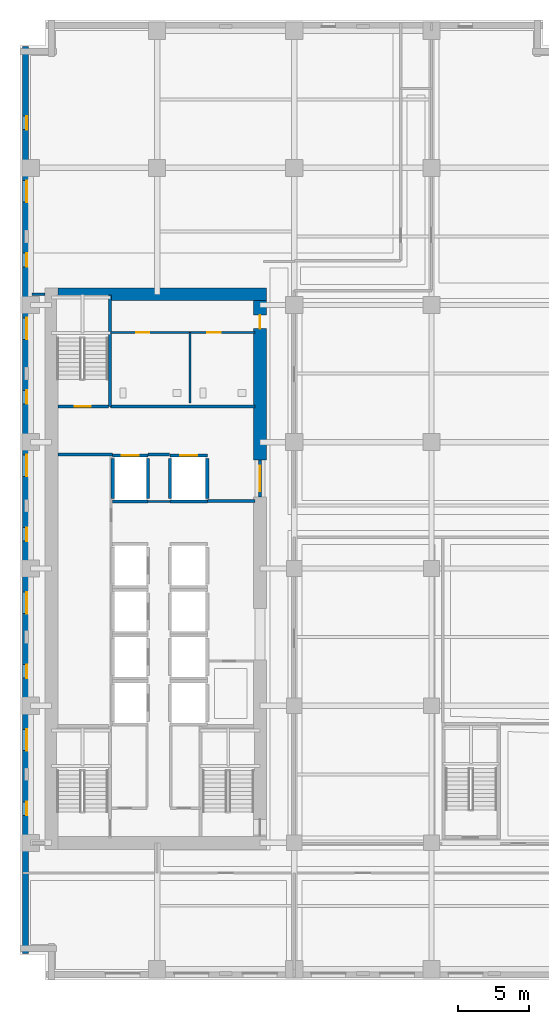
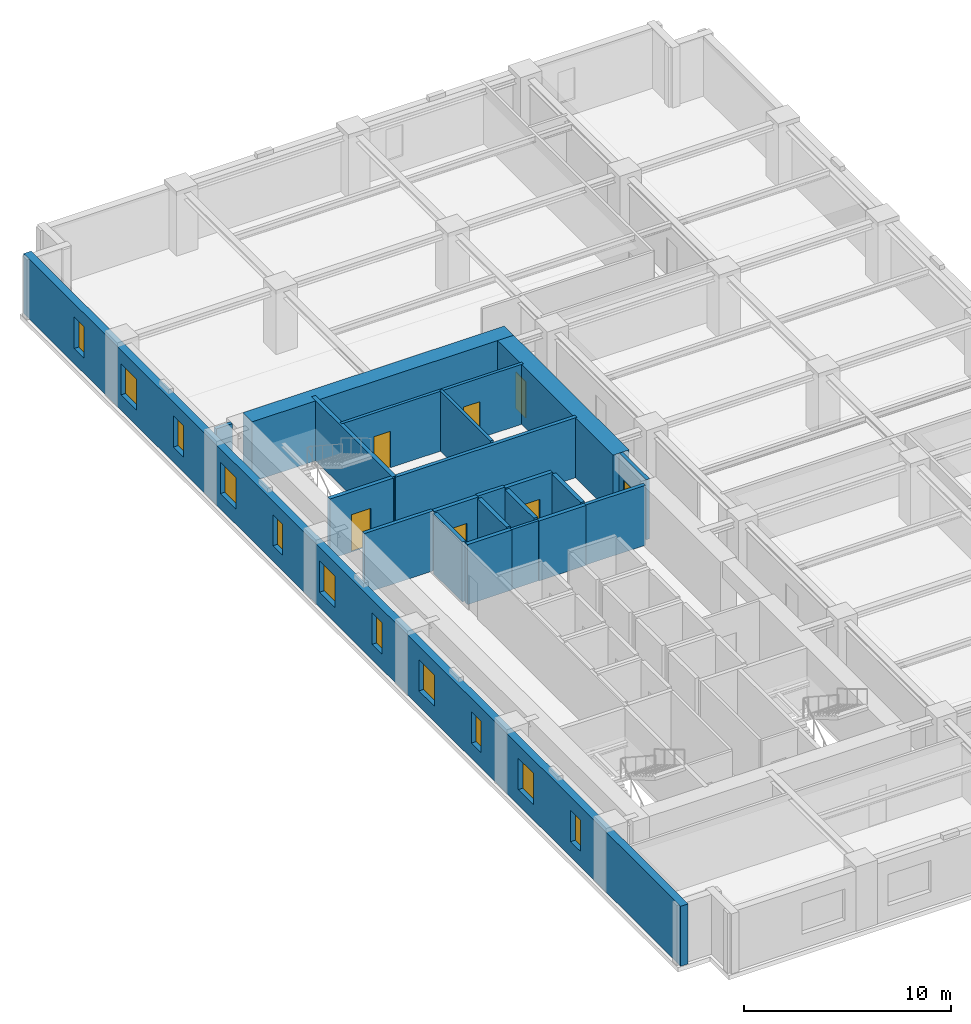
# One storey, part 6 of 13: 22 walls, 11 windows, 7 doors, 18 openings.
"""IFC4 building model written with IfcOpenShell, lengths in metres."""

from ifc_helpers import new_model, si_unit, direction, frame, frame_2d, origin, place, context, subcontext, project, spatial, rectangle, extrude, material, layer, layer_set, type_object, element, fill, save


model = new_model("IFC4")

# Units and contexts
model_context = context("Model", 3, precision=1e-05, world=origin(), true_north=direction((0.0, 1.0)))
body_context = subcontext(model_context, "Body", "Model", "MODEL_VIEW")
ifc_project = project(units=[si_unit("LENGTHUNIT", "METRE"), si_unit("AREAUNIT", "SQUARE_METRE"), si_unit("VOLUMEUNIT", "CUBIC_METRE"), si_unit("PLANEANGLEUNIT", "RADIAN"), si_unit("MASSUNIT", "GRAM", prefix="KILO")], contexts=[model_context])

# Site, building, storey
site_placement = place(None, origin())
site = spatial("IfcSite", under=ifc_project, at=site_placement, CompositionType="ELEMENT")
building_placement = place(site_placement, origin())
building = spatial("IfcBuilding", under=site, at=building_placement, Name="Norrvale University Quadrangle", CompositionType="ELEMENT")
storey_placement = place(building_placement, frame((0.0, 0.0, 47.0)))
storey = spatial("IfcBuildingStorey", under=building, at=storey_placement, Name="L11", CompositionType="ELEMENT", Elevation=47.0)

# Wall, openings, windows
ifc_material_1 = material(Name="Buff Norman Clay Brick Masonry", Category="masonry")
ifc_layer_1 = layer(ifc_material_1, 0.419921875, Name="Buff Norman Clay Brick Masonry")
ifc_layer_set_1 = layer_set([ifc_layer_1], Name="Buff Norman Clay Brick Masonry")
wall_type_1 = type_object("IfcWallType", Name="Wall Buff Brick 420", PredefinedType="SOLIDWALL", material=ifc_layer_set_1)
wall_1_placement = place(storey_placement, frame((0.389892578125, 65.360107421875, 0.0), z_axis=(0.0, 0.0, 1.0), x_axis=(0.0, -1.0, 0.0)))
wall_1 = element("IfcWall", 1, at=wall_1_placement, inside=storey, type_object=wall_type_1, Name="Exterior Brick Facade Wall L11-14.1", PredefinedType="SOLIDWALL", context=body_context, shape_type="SweptSolid", body=[
    extrude(rectangle(XDim=63.52001953125, YDim=0.419921875, at=frame_2d((31.760009765625, 0.0))), origin(), (0.0, 0.0, 1.0), 3.5400390625),
])
opening_1_placement = place(wall_1_placement, frame((4.885009765625, 0.0, 0.89990234375)))
opening_1 = element("IfcOpeningElement", 2, at=opening_1_placement, cuts=wall_1, Name="Opening W04", PredefinedType="OPENING", context=body_context, shape_type="SweptSolid", body=[
    extrude(rectangle(XDim=0.949951171875, YDim=1.85009765625, at=frame_2d((0.47509765625, 0.925048828125))), frame((0.0, 0.221923828125, 0.0), z_axis=(0.0, -1.0, 0.0), x_axis=(1.0, 0.0, 0.0)), (0.0, 0.0, 1.0), 0.44384765625),
])
opening_2_placement = place(wall_1_placement, frame((9.409912109375, 0.0, 0.89990234375)))
opening_2 = element("IfcOpeningElement", 3, at=opening_2_placement, cuts=wall_1, Name="Opening W03", PredefinedType="OPENING", context=body_context, shape_type="SweptSolid", body=[
    extrude(rectangle(XDim=1.5, YDim=1.85009765625, at=frame_2d((0.75, 0.925048828125))), frame((0.0, 0.221923828125, 0.0), z_axis=(0.0, -1.0, 0.0), x_axis=(1.0, 0.0, 0.0)), (0.0, 0.0, 1.0), 0.44384765625),
])
opening_3_placement = place(wall_1_placement, frame((14.485107421875, 0.0, 0.89990234375)))
opening_3 = element("IfcOpeningElement", 4, at=opening_3_placement, cuts=wall_1, Name="Opening W04", PredefinedType="OPENING", context=body_context, shape_type="SweptSolid", body=[
    extrude(rectangle(XDim=0.949951171875, YDim=1.85009765625, at=frame_2d((0.47509765625, 0.925048828125))), frame((0.0, 0.221923828125, 0.0), z_axis=(0.0, -1.0, 0.0), x_axis=(1.0, 0.0, 0.0)), (0.0, 0.0, 1.0), 0.44384765625),
])
opening_4_placement = place(wall_1_placement, frame((19.010009765625, 0.0, 0.89990234375)))
opening_4 = element("IfcOpeningElement", 5, at=opening_4_placement, cuts=wall_1, Name="Opening W03", PredefinedType="OPENING", context=body_context, shape_type="SweptSolid", body=[
    extrude(rectangle(XDim=1.5, YDim=1.85009765625, at=frame_2d((0.75, 0.925048828125))), frame((0.0, 0.221923828125, 0.0), z_axis=(0.0, -1.0, 0.0), x_axis=(1.0, 0.0, 0.0)), (0.0, 0.0, 1.0), 0.44384765625),
])
opening_5_placement = place(wall_1_placement, frame((24.0849609375, 0.0, 0.89990234375)))
opening_5 = element("IfcOpeningElement", 6, at=opening_5_placement, cuts=wall_1, Name="Opening W04", PredefinedType="OPENING", context=body_context, shape_type="SweptSolid", body=[
    extrude(rectangle(XDim=0.949951171875, YDim=1.85009765625, at=frame_2d((0.47509765625, 0.925048828125))), frame((0.0, 0.221923828125, 0.0), z_axis=(0.0, -1.0, 0.0), x_axis=(1.0, 0.0, 0.0)), (0.0, 0.0, 1.0), 0.44384765625),
])
opening_6_placement = place(wall_1_placement, frame((28.610107421875, 0.0, 0.89990234375)))
opening_6 = element("IfcOpeningElement", 7, at=opening_6_placement, cuts=wall_1, Name="Opening W03", PredefinedType="OPENING", context=body_context, shape_type="SweptSolid", body=[
    extrude(rectangle(XDim=1.5, YDim=1.85009765625, at=frame_2d((0.75, 0.925048828125))), frame((0.0, 0.221923828125, 0.0), z_axis=(0.0, -1.0, 0.0), x_axis=(1.0, 0.0, 0.0)), (0.0, 0.0, 1.0), 0.44384765625),
])
opening_7_placement = place(wall_1_placement, frame((33.68505859375, 0.0, 0.89990234375)))
opening_7 = element("IfcOpeningElement", 8, at=opening_7_placement, cuts=wall_1, Name="Opening W04", PredefinedType="OPENING", context=body_context, shape_type="SweptSolid", body=[
    extrude(rectangle(XDim=0.949951171875, YDim=1.85009765625, at=frame_2d((0.47509765625, 0.925048828125))), frame((0.0, 0.221923828125, 0.0), z_axis=(0.0, -1.0, 0.0), x_axis=(1.0, 0.0, 0.0)), (0.0, 0.0, 1.0), 0.44384765625),
])
opening_8_placement = place(wall_1_placement, frame((38.2099609375, 0.0, 0.89990234375)))
opening_8 = element("IfcOpeningElement", 9, at=opening_8_placement, cuts=wall_1, Name="Opening W03", PredefinedType="OPENING", context=body_context, shape_type="SweptSolid", body=[
    extrude(rectangle(XDim=1.5, YDim=1.85009765625, at=frame_2d((0.75, 0.925048828125))), frame((0.0, 0.221923828125, 0.0), z_axis=(0.0, -1.0, 0.0), x_axis=(1.0, 0.0, 0.0)), (0.0, 0.0, 1.0), 0.44384765625),
])
opening_9_placement = place(wall_1_placement, frame((43.284912109375, 0.0, 0.89990234375)))
opening_9 = element("IfcOpeningElement", 10, at=opening_9_placement, cuts=wall_1, Name="Opening W04", PredefinedType="OPENING", context=body_context, shape_type="SweptSolid", body=[
    extrude(rectangle(XDim=0.949951171875, YDim=1.85009765625, at=frame_2d((0.47509765625, 0.925048828125))), frame((0.0, 0.221923828125, 0.0), z_axis=(0.0, -1.0, 0.0), x_axis=(1.0, 0.0, 0.0)), (0.0, 0.0, 1.0), 0.44384765625),
])
opening_10_placement = place(wall_1_placement, frame((47.81005859375, 0.0, 0.89990234375)))
opening_10 = element("IfcOpeningElement", 11, at=opening_10_placement, cuts=wall_1, Name="Opening W03", PredefinedType="OPENING", context=body_context, shape_type="SweptSolid", body=[
    extrude(rectangle(XDim=1.5, YDim=1.85009765625, at=frame_2d((0.75, 0.925048828125))), frame((0.0, 0.221923828125, 0.0), z_axis=(0.0, -1.0, 0.0), x_axis=(1.0, 0.0, 0.0)), (0.0, 0.0, 1.0), 0.44384765625),
])
opening_11_placement = place(wall_1_placement, frame((52.885009765625, 0.0, 0.89990234375)))
opening_11 = element("IfcOpeningElement", 12, at=opening_11_placement, cuts=wall_1, Name="Opening W04", PredefinedType="OPENING", context=body_context, shape_type="SweptSolid", body=[
    extrude(rectangle(XDim=0.949951171875, YDim=1.85009765625, at=frame_2d((0.47509765625, 0.925048828125))), frame((0.0, 0.221923828125, 0.0), z_axis=(0.0, -1.0, 0.0), x_axis=(1.0, 0.0, 0.0)), (0.0, 0.0, 1.0), 0.44384765625),
])
ifc_material_2 = material(Name="Triple Low-E Argon Glazing", Category="glass")
window_type_1 = type_object("IfcWindowType", Name="Window Narrow Pier 950x2300", PartitioningType="SINGLE_PANEL", PredefinedType="WINDOW", material=ifc_material_2)
window_1_placement = place(opening_1_placement, origin())
window_1 = element("IfcWindow", 13, at=window_1_placement, inside=storey, type_object=window_type_1, Name="Window Narrow Pier 950x2300 WIN-L11-E14-1-01", OverallHeight=1.85009765625, OverallWidth=0.949951171875, PartitioningType="SINGLE_PANEL", PredefinedType="WINDOW", context=body_context, shape_type="SweptSolid", body=[
    extrude(rectangle(XDim=0.949951171875, YDim=1.85009765625, at=frame_2d((0.47509765625, 0.925048828125))), frame((0.0, 0.110107421875, 0.0), z_axis=(0.0, -1.0, 0.0), x_axis=(1.0, 0.0, 0.0)), (0.0, 0.0, 1.0), 0.06005859375),
])
fill(opening_1, window_1)
window_2_placement = place(opening_3_placement, origin())
window_2 = element("IfcWindow", 14, at=window_2_placement, inside=storey, type_object=window_type_1, Name="Window Narrow Pier 950x2300 WIN-L11-E14-1-03", OverallHeight=1.85009765625, OverallWidth=0.949951171875, PartitioningType="SINGLE_PANEL", PredefinedType="WINDOW", context=body_context, shape_type="SweptSolid", body=[
    extrude(rectangle(XDim=0.949951171875, YDim=1.85009765625, at=frame_2d((0.47509765625, 0.925048828125))), frame((0.0, 0.110107421875, 0.0), z_axis=(0.0, -1.0, 0.0), x_axis=(1.0, 0.0, 0.0)), (0.0, 0.0, 1.0), 0.06005859375),
])
fill(opening_3, window_2)
window_3_placement = place(opening_5_placement, origin())
window_3 = element("IfcWindow", 15, at=window_3_placement, inside=storey, type_object=window_type_1, Name="Window Narrow Pier 950x2300 WIN-L11-E14-1-05", OverallHeight=1.85009765625, OverallWidth=0.949951171875, PartitioningType="SINGLE_PANEL", PredefinedType="WINDOW", context=body_context, shape_type="SweptSolid", body=[
    extrude(rectangle(XDim=0.949951171875, YDim=1.85009765625, at=frame_2d((0.47509765625, 0.925048828125))), frame((0.0, 0.110107421875, 0.0), z_axis=(0.0, -1.0, 0.0), x_axis=(1.0, 0.0, 0.0)), (0.0, 0.0, 1.0), 0.06005859375),
])
fill(opening_5, window_3)
window_4_placement = place(opening_7_placement, origin())
window_4 = element("IfcWindow", 16, at=window_4_placement, inside=storey, type_object=window_type_1, Name="Window Narrow Pier 950x2300 WIN-L11-E14-1-07", OverallHeight=1.85009765625, OverallWidth=0.949951171875, PartitioningType="SINGLE_PANEL", PredefinedType="WINDOW", context=body_context, shape_type="SweptSolid", body=[
    extrude(rectangle(XDim=0.949951171875, YDim=1.85009765625, at=frame_2d((0.47509765625, 0.925048828125))), frame((0.0, 0.110107421875, 0.0), z_axis=(0.0, -1.0, 0.0), x_axis=(1.0, 0.0, 0.0)), (0.0, 0.0, 1.0), 0.06005859375),
])
fill(opening_7, window_4)
window_5_placement = place(opening_9_placement, origin())
window_5 = element("IfcWindow", 17, at=window_5_placement, inside=storey, type_object=window_type_1, Name="Window Narrow Pier 950x2300 WIN-L11-E14-1-09", OverallHeight=1.85009765625, OverallWidth=0.949951171875, PartitioningType="SINGLE_PANEL", PredefinedType="WINDOW", context=body_context, shape_type="SweptSolid", body=[
    extrude(rectangle(XDim=0.949951171875, YDim=1.85009765625, at=frame_2d((0.47509765625, 0.925048828125))), frame((0.0, 0.110107421875, 0.0), z_axis=(0.0, -1.0, 0.0), x_axis=(1.0, 0.0, 0.0)), (0.0, 0.0, 1.0), 0.06005859375),
])
fill(opening_9, window_5)
window_6_placement = place(opening_11_placement, origin())
window_6 = element("IfcWindow", 18, at=window_6_placement, inside=storey, type_object=window_type_1, Name="Window Narrow Pier 950x2300 WIN-L11-E14-1-11", OverallHeight=1.85009765625, OverallWidth=0.949951171875, PartitioningType="SINGLE_PANEL", PredefinedType="WINDOW", context=body_context, shape_type="SweptSolid", body=[
    extrude(rectangle(XDim=0.949951171875, YDim=1.85009765625, at=frame_2d((0.47509765625, 0.925048828125))), frame((0.0, 0.110107421875, 0.0), z_axis=(0.0, -1.0, 0.0), x_axis=(1.0, 0.0, 0.0)), (0.0, 0.0, 1.0), 0.06005859375),
])
fill(opening_11, window_6)
window_type_2 = type_object("IfcWindowType", Name="Window Studio 1500x2300", PartitioningType="DOUBLE_PANEL_VERTICAL", PredefinedType="WINDOW", material=ifc_material_2)
window_7_placement = place(opening_2_placement, origin())
window_7 = element("IfcWindow", 19, at=window_7_placement, inside=storey, type_object=window_type_2, Name="Window Studio 1500x2300 WIN-L11-E14-1-02", OverallHeight=1.85009765625, OverallWidth=1.5, PartitioningType="DOUBLE_PANEL_VERTICAL", PredefinedType="WINDOW", context=body_context, shape_type="SweptSolid", body=[
    extrude(rectangle(XDim=1.5, YDim=1.85009765625, at=frame_2d((0.75, 0.925048828125))), frame((0.0, 0.110107421875, 0.0), z_axis=(0.0, -1.0, 0.0), x_axis=(1.0, 0.0, 0.0)), (0.0, 0.0, 1.0), 0.06005859375),
])
fill(opening_2, window_7)
window_8_placement = place(opening_4_placement, origin())
window_8 = element("IfcWindow", 20, at=window_8_placement, inside=storey, type_object=window_type_2, Name="Window Studio 1500x2300 WIN-L11-E14-1-04", OverallHeight=1.85009765625, OverallWidth=1.5, PartitioningType="DOUBLE_PANEL_VERTICAL", PredefinedType="WINDOW", context=body_context, shape_type="SweptSolid", body=[
    extrude(rectangle(XDim=1.5, YDim=1.85009765625, at=frame_2d((0.75, 0.925048828125))), frame((0.0, 0.110107421875, 0.0), z_axis=(0.0, -1.0, 0.0), x_axis=(1.0, 0.0, 0.0)), (0.0, 0.0, 1.0), 0.06005859375),
])
fill(opening_4, window_8)
window_9_placement = place(opening_6_placement, origin())
window_9 = element("IfcWindow", 21, at=window_9_placement, inside=storey, type_object=window_type_2, Name="Window Studio 1500x2300 WIN-L11-E14-1-06", OverallHeight=1.85009765625, OverallWidth=1.5, PartitioningType="DOUBLE_PANEL_VERTICAL", PredefinedType="WINDOW", context=body_context, shape_type="SweptSolid", body=[
    extrude(rectangle(XDim=1.5, YDim=1.85009765625, at=frame_2d((0.75, 0.925048828125))), frame((0.0, 0.110107421875, 0.0), z_axis=(0.0, -1.0, 0.0), x_axis=(1.0, 0.0, 0.0)), (0.0, 0.0, 1.0), 0.06005859375),
])
fill(opening_6, window_9)
window_10_placement = place(opening_8_placement, origin())
window_10 = element("IfcWindow", 22, at=window_10_placement, inside=storey, type_object=window_type_2, Name="Window Studio 1500x2300 WIN-L11-E14-1-08", OverallHeight=1.85009765625, OverallWidth=1.5, PartitioningType="DOUBLE_PANEL_VERTICAL", PredefinedType="WINDOW", context=body_context, shape_type="SweptSolid", body=[
    extrude(rectangle(XDim=1.5, YDim=1.85009765625, at=frame_2d((0.75, 0.925048828125))), frame((0.0, 0.110107421875, 0.0), z_axis=(0.0, -1.0, 0.0), x_axis=(1.0, 0.0, 0.0)), (0.0, 0.0, 1.0), 0.06005859375),
])
fill(opening_8, window_10)
window_11_placement = place(opening_10_placement, origin())
window_11 = element("IfcWindow", 23, at=window_11_placement, inside=storey, type_object=window_type_2, Name="Window Studio 1500x2300 WIN-L11-E14-1-10", OverallHeight=1.85009765625, OverallWidth=1.5, PartitioningType="DOUBLE_PANEL_VERTICAL", PredefinedType="WINDOW", context=body_context, shape_type="SweptSolid", body=[
    extrude(rectangle(XDim=1.5, YDim=1.85009765625, at=frame_2d((0.75, 0.925048828125))), frame((0.0, 0.110107421875, 0.0), z_axis=(0.0, -1.0, 0.0), x_axis=(1.0, 0.0, 0.0)), (0.0, 0.0, 1.0), 0.06005859375),
])
fill(opening_10, window_11)

# Wall
ifc_material_3 = material(Name="Concrete C80/95", Category="concrete")
ifc_layer_2 = layer(ifc_material_3, 0.89990234375, Name="Concrete C80/95")
ifc_layer_set_2 = layer_set([ifc_layer_2], Name="Concrete C80/95")
wall_type_2 = type_object("IfcWallType", Name="Wall Core 900", PredefinedType="SHEAR", material=ifc_layer_set_2)
wall_2_placement = place(storey_placement, frame((2.64990234375, 48.0, 0.0), z_axis=(0.0, 0.0, 1.0), x_axis=(1.0, 0.0, 0.0)))
element("IfcWall", 24, at=wall_2_placement, inside=storey, type_object=wall_type_2, Name="Tower Core Shear Wall L11-N", PredefinedType="SHEAR", context=body_context, shape_type="SweptSolid", body=[
    extrude(rectangle(XDim=14.60009765625, YDim=0.89990234375, at=frame_2d((7.300048828125, 0.0))), origin(), (0.0, 0.0, 1.0), 3.5400390625),
])

# Wall, opening, door
wall_3_placement = place(storey_placement, frame((16.800048828125, 36.39990234375, 0.0), z_axis=(0.0, 0.0, 1.0), x_axis=(0.0, 1.0, 0.0)))
wall_3 = element("IfcWall", 25, at=wall_3_placement, inside=storey, type_object=wall_type_2, Name="Tower Core Shear Wall L11-E3", PredefinedType="SHEAR", context=body_context, shape_type="SweptSolid", body=[
    extrude(rectangle(XDim=11.150146484375, YDim=0.89990234375, at=frame_2d((5.5751953125, 0.0))), origin(), (0.0, 0.0, 1.0), 3.5400390625),
])
opening_12_placement = place(wall_3_placement, frame((9.199951171875, 0.0, 0.0)))
opening_12 = element("IfcOpeningElement", 26, at=opening_12_placement, cuts=wall_3, Name="Opening D07", PredefinedType="OPENING", context=body_context, shape_type="SweptSolid", body=[
    extrude(rectangle(XDim=0.949951171875, YDim=2.14990234375, at=frame_2d((0.47509765625, 1.074951171875))), frame((0.0, 0.4619140625, 0.0), z_axis=(0.0, -1.0, 0.0), x_axis=(1.0, 0.0, 0.0)), (0.0, 0.0, 1.0), 0.923828125),
])
ifc_material_4 = material(Name="Solid-Core Maple Door", Category="wood")
door_type_1 = type_object("IfcDoorType", Name="Door Office 950x2150", OperationType="NOTDEFINED", PredefinedType="DOOR", material=ifc_material_4)
door_1_placement = place(opening_12_placement, origin())
door_1 = element("IfcDoor", 27, at=door_1_placement, inside=storey, type_object=door_type_1, Name="Door Office 950x2150 DR-L11-NECORR", OperationType="SINGLE_SWING_RIGHT", OverallHeight=2.14990234375, OverallWidth=0.949951171875, PredefinedType="DOOR", context=body_context, shape_type="SweptSolid", body=[
    extrude(rectangle(XDim=0.949951171875, YDim=2.14990234375, at=frame_2d((0.47509765625, 1.074951171875))), frame((0.0, 0.02490234375, 0.0), z_axis=(0.0, -1.0, 0.0), x_axis=(1.0, 0.0, 0.0)), (0.0, 0.0, 1.0), 0.050048828125),
])
fill(opening_12, door_1)

# Wall
ifc_material_5 = material(Name="Fire-Rated Gypsum Stud Partition")
ifc_layer_3 = layer(ifc_material_5, 0.14990234375, Name="Fire-Rated Gypsum Stud Partition")
ifc_layer_set_3 = layer_set([ifc_layer_3], Name="Fire-Rated Gypsum Stud Partition")
wall_type_3 = type_object("IfcWallType", Name="Wall Gypsum Corridor 150", PredefinedType="PARTITIONING", material=ifc_layer_set_3)
wall_4_placement = place(storey_placement, frame((8.965087890625, 33.489990234375, 0.0), z_axis=(0.0, 0.0, 1.0), x_axis=(1.0, 0.0, 0.0)))
element("IfcWall", 28, at=wall_4_placement, inside=storey, type_object=wall_type_3, Name="Interior Partition WL-L11-LL3", PredefinedType="PARTITIONING", context=body_context, shape_type="SweptSolid", body=[
    extrude(rectangle(XDim=1.52001953125, YDim=0.14990234375, at=frame_2d((0.760009765625, 0.0))), origin(), (0.0, 0.0, 1.0), 3.5400390625),
])

# Wall, openings, doors
ifc_material_6 = material(Name="Sanitary Chase Gypsum Partition")
ifc_layer_4 = layer(ifc_material_6, 0.1650390625, Name="Sanitary Chase Gypsum Partition")
ifc_layer_set_4 = layer_set([ifc_layer_4], Name="Sanitary Chase Gypsum Partition")
wall_type_4 = type_object("IfcWallType", Name="Wall Gypsum Sanitary 165", PredefinedType="PLUMBINGWALL", material=ifc_layer_set_4)
wall_5_placement = place(storey_placement, frame((6.320068359375, 45.320068359375, 0.0), z_axis=(0.0, 0.0, 1.0), x_axis=(1.0, 0.0, 0.0)))
wall_5 = element("IfcWall", 29, at=wall_5_placement, inside=storey, type_object=wall_type_4, Name="Interior Partition WL-L11-WCN", PredefinedType="PLUMBINGWALL", context=body_context, shape_type="SweptSolid", body=[
    extrude(rectangle(XDim=10.1298828125, YDim=0.1650390625, at=frame_2d((5.06494140625, 0.0))), origin(), (0.0, 0.0, 1.0), 3.5400390625),
])
opening_13_placement = place(wall_5_placement, frame((1.800048828125, 0.0, 0.0)))
opening_13 = element("IfcOpeningElement", 30, at=opening_13_placement, cuts=wall_5, Name="Opening D08", PredefinedType="OPENING", context=body_context, shape_type="SweptSolid", body=[
    extrude(rectangle(XDim=0.919921875, YDim=2.14990234375, at=frame_2d((0.4599609375, 1.074951171875))), frame((0.0, 0.094482421875, 0.0), z_axis=(0.0, -1.0, 0.0), x_axis=(1.0, 0.0, 0.0)), (0.0, 0.0, 1.0), 0.18896484375),
])
opening_14_placement = place(wall_5_placement, frame((6.800048828125, 0.0, 0.0)))
opening_14 = element("IfcOpeningElement", 31, at=opening_14_placement, cuts=wall_5, Name="Opening D08", PredefinedType="OPENING", context=body_context, shape_type="SweptSolid", body=[
    extrude(rectangle(XDim=0.919921875, YDim=2.14990234375, at=frame_2d((0.4599609375, 1.074951171875))), frame((0.0, 0.094482421875, 0.0), z_axis=(0.0, -1.0, 0.0), x_axis=(1.0, 0.0, 0.0)), (0.0, 0.0, 1.0), 0.18896484375),
])
ifc_material_7 = material(Name="Laminate Washroom Door", Category="wood")
door_type_2 = type_object("IfcDoorType", Name="Door Washroom 920x2150", OperationType="NOTDEFINED", PredefinedType="DOOR", material=ifc_material_7)
door_2_placement = place(opening_13_placement, origin())
door_2 = element("IfcDoor", 32, at=door_2_placement, inside=storey, type_object=door_type_2, Name="Door Washroom 920x2150 DR-L11-WC1", OperationType="SINGLE_SWING_LEFT", OverallHeight=2.14990234375, OverallWidth=0.919921875, PredefinedType="DOOR", context=body_context, shape_type="SweptSolid", body=[
    extrude(rectangle(XDim=0.919921875, YDim=2.14990234375, at=frame_2d((0.4599609375, 1.074951171875))), frame((0.0, 0.02490234375, 0.0), z_axis=(0.0, -1.0, 0.0), x_axis=(1.0, 0.0, 0.0)), (0.0, 0.0, 1.0), 0.050048828125),
])
fill(opening_13, door_2)
door_3_placement = place(opening_14_placement, origin())
door_3 = element("IfcDoor", 33, at=door_3_placement, inside=storey, type_object=door_type_2, Name="Door Washroom 920x2150 DR-L11-WC2", OperationType="SINGLE_SWING_RIGHT", OverallHeight=2.14990234375, OverallWidth=0.919921875, PredefinedType="DOOR", context=body_context, shape_type="SweptSolid", body=[
    extrude(rectangle(XDim=0.919921875, YDim=2.14990234375, at=frame_2d((0.4599609375, 1.074951171875))), frame((0.0, 0.02490234375, 0.0), z_axis=(0.0, -1.0, 0.0), x_axis=(1.0, 0.0, 0.0)), (0.0, 0.0, 1.0), 0.050048828125),
])
fill(opening_14, door_3)

# Walls
wall_6_placement = place(storey_placement, frame((11.89990234375, 40.39990234375, 0.0), z_axis=(0.0, 0.0, 1.0), x_axis=(0.0, 1.0, 0.0)))
element("IfcWall", 34, at=wall_6_placement, inside=storey, type_object=wall_type_4, Name="Interior Partition WL-L11-WCM1", PredefinedType="PLUMBINGWALL", context=body_context, shape_type="SweptSolid", body=[
    extrude(rectangle(XDim=4.920166015625, YDim=0.1650390625, at=frame_2d((2.4599609375, 0.0))), origin(), (0.0, 0.0, 1.0), 3.5400390625),
])
ifc_material_8 = material(Name="Concrete Blockwork 20 MPa Rated Wall", Category="masonry")
ifc_layer_5 = layer(ifc_material_8, 0.199951171875, Name="Concrete Blockwork 20 MPa Rated Wall")
ifc_layer_set_5 = layer_set([ifc_layer_5], Name="Concrete Blockwork 20 MPa Rated Wall")
wall_type_5 = type_object("IfcWallType", Name="Wall Lobby 200", PredefinedType="SOLIDWALL", material=ifc_layer_set_5)
wall_7_placement = place(storey_placement, frame((2.64990234375, 36.780029296875, 0.0), z_axis=(0.0, 0.0, 1.0), x_axis=(1.0, 0.0, 0.0)))
element("IfcWall", 35, at=wall_7_placement, inside=storey, type_object=wall_type_5, Name="Interior Partition WL-L11-FF1", PredefinedType="SOLIDWALL", context=body_context, shape_type="SweptSolid", body=[
    extrude(rectangle(XDim=3.830078125, YDim=0.199951171875, at=frame_2d((1.9150390625, 0.0))), origin(), (0.0, 0.0, 1.0), 3.5400390625),
])
wall_8_placement = place(storey_placement, frame((8.969970703125, 36.780029296875, 0.0), z_axis=(0.0, 0.0, 1.0), x_axis=(1.0, 0.0, 0.0)))
element("IfcWall", 36, at=wall_8_placement, inside=storey, type_object=wall_type_5, Name="Interior Partition WL-L11-FF2", PredefinedType="SOLIDWALL", context=body_context, shape_type="SweptSolid", body=[
    extrude(rectangle(XDim=1.510009765625, YDim=0.199951171875, at=frame_2d((0.7548828125, 0.0))), origin(), (0.0, 0.0, 1.0), 3.5400390625),
])
wall_9_placement = place(storey_placement, frame((13.1201171875, 33.52001953125, 0.0), z_axis=(0.0, 0.0, 1.0), x_axis=(1.0, 0.0, 0.0)))
element("IfcWall", 37, at=wall_9_placement, inside=storey, type_object=wall_type_5, Name="Interior Partition WL-L11-FF3", PredefinedType="SOLIDWALL", context=body_context, shape_type="SweptSolid", body=[
    extrude(rectangle(XDim=3.329833984375, YDim=0.199951171875, at=frame_2d((1.6650390625, 0.0))), origin(), (0.0, 0.0, 1.0), 3.5400390625),
])
wall_10_placement = place(storey_placement, frame((6.320068359375, 40.139892578125, 0.0), z_axis=(0.0, 0.0, 1.0), x_axis=(1.0, 0.0, 0.0)))
element("IfcWall", 38, at=wall_10_placement, inside=storey, type_object=wall_type_5, Name="Interior Partition WL-L11-FF4", PredefinedType="SOLIDWALL", context=body_context, shape_type="SweptSolid", body=[
    extrude(rectangle(XDim=10.1298828125, YDim=0.199951171875, at=frame_2d((5.06494140625, 0.0))), origin(), (0.0, 0.0, 1.0), 3.5400390625),
])

# Wall, opening, door
wall_11_placement = place(storey_placement, frame((16.800048828125, 33.800048828125, 0.0), z_axis=(0.0, 0.0, 1.0), x_axis=(0.0, 1.0, 0.0)))
wall_11 = element("IfcWall", 39, at=wall_11_placement, inside=storey, type_object=wall_type_5, Name="Interior Partition WL-L11-FFP", PredefinedType="SOLIDWALL", context=body_context, shape_type="SweptSolid", body=[
    extrude(rectangle(XDim=2.599853515625, YDim=0.199951171875, at=frame_2d((1.2998046875, 0.0))), origin(), (0.0, 0.0, 1.0), 3.5400390625),
])
opening_15_placement = place(wall_11_placement, frame((0.39990234375, 0.0, 0.0)))
opening_15 = element("IfcOpeningElement", 40, at=opening_15_placement, cuts=wall_11, Name="Opening D03", PredefinedType="OPENING", context=body_context, shape_type="SweptSolid", body=[
    extrude(rectangle(XDim=1.800048828125, YDim=2.199951171875, at=frame_2d((0.89990234375, 1.10009765625))), frame((0.0, 0.112060546875, 0.0), z_axis=(0.0, -1.0, 0.0), x_axis=(1.0, 0.0, 0.0)), (0.0, 0.0, 1.0), 0.223876953125),
])
ifc_material_9 = material(Name="Hollow Steel 350W Fire Door", Category="steel")
door_type_3 = type_object("IfcDoorType", Name="Door Fire Lobby 1800x2200", OperationType="DOUBLE_DOOR_SINGLE_SWING", PredefinedType="DOOR", material=ifc_material_9)
door_4_placement = place(opening_15_placement, origin())
door_4 = element("IfcDoor", 41, at=door_4_placement, inside=storey, type_object=door_type_3, Name="Door Fire Lobby 1800x2200 DR-L11-FFP", OperationType="DOUBLE_DOOR_SINGLE_SWING", OverallHeight=2.199951171875, OverallWidth=1.800048828125, PredefinedType="DOOR", context=body_context, shape_type="SweptSolid", body=[
    extrude(rectangle(XDim=1.800048828125, YDim=2.199951171875, at=frame_2d((0.89990234375, 1.10009765625))), frame((0.0, 0.02490234375, 0.0), z_axis=(0.0, -1.0, 0.0), x_axis=(1.0, 0.0, 0.0)), (0.0, 0.0, 1.0), 0.050048828125),
])
fill(opening_15, door_4)

# Wall
wall_12_placement = place(storey_placement, frame((0.85009765625, 48.0, 0.0), z_axis=(0.0, 0.0, 1.0), x_axis=(1.0, 0.0, 0.0)))
element("IfcWall", 42, at=wall_12_placement, inside=storey, type_object=wall_type_5, Name="Interior Partition WL-L11-CWRET-N", PredefinedType="SOLIDWALL", context=body_context, shape_type="SweptSolid", body=[
    extrude(rectangle(XDim=0.89501953125, YDim=0.199951171875, at=frame_2d((0.447509765625, 0.0))), origin(), (0.0, 0.0, 1.0), 3.5400390625),
])

# Wall, opening, door
ifc_material_10 = material(Name="Concrete Blockwork 20 MPa Fire Shaft", Category="masonry")
ifc_layer_6 = layer(ifc_material_10, 0.219970703125, Name="Concrete Blockwork 20 MPa Fire Shaft")
ifc_layer_set_6 = layer_set([ifc_layer_6], Name="Concrete Blockwork 20 MPa Fire Shaft")
wall_type_6 = type_object("IfcWallType", Name="Wall Shaft 220", PredefinedType="SOLIDWALL", material=ifc_layer_set_6)
wall_13_placement = place(storey_placement, frame((2.64990234375, 40.139892578125, 0.0), z_axis=(0.0, 0.0, 1.0), x_axis=(1.0, 0.0, 0.0)))
wall_13 = element("IfcWall", 43, at=wall_13_placement, inside=storey, type_object=wall_type_6, Name="Stair ST-02 South Shaft Wall L11", PredefinedType="SOLIDWALL", context=body_context, shape_type="SweptSolid", body=[
    extrude(rectangle(XDim=3.550048828125, YDim=0.219970703125, at=frame_2d((1.77490234375, 0.0))), origin(), (0.0, 0.0, 1.0), 3.5400390625),
])
opening_16_placement = place(wall_13_placement, frame((1.199951171875, 0.0, 0.0)))
opening_16 = element("IfcOpeningElement", 44, at=opening_16_placement, cuts=wall_13, Name="Opening D02", PredefinedType="OPENING", context=body_context, shape_type="SweptSolid", body=[
    extrude(rectangle(XDim=1.10009765625, YDim=2.199951171875, at=frame_2d((0.550048828125, 1.10009765625))), frame((0.0, 0.1220703125, 0.0), z_axis=(0.0, -1.0, 0.0), x_axis=(1.0, 0.0, 0.0)), (0.0, 0.0, 1.0), 0.243896484375),
])
door_type_4 = type_object("IfcDoorType", Name="Door Stair Exit 1100x2200", OperationType="NOTDEFINED", PredefinedType="DOOR", material=ifc_material_9)
door_5_placement = place(opening_16_placement, origin())
door_5 = element("IfcDoor", 45, at=door_5_placement, inside=storey, type_object=door_type_4, Name="Door Stair Exit 1100x2200 DR-L11-ST02", OperationType="SINGLE_SWING_LEFT", OverallHeight=2.199951171875, OverallWidth=1.10009765625, PredefinedType="DOOR", context=body_context, shape_type="SweptSolid", body=[
    extrude(rectangle(XDim=1.10009765625, YDim=2.199951171875, at=frame_2d((0.550048828125, 1.10009765625))), frame((0.0, 0.02490234375, 0.0), z_axis=(0.0, -1.0, 0.0), x_axis=(1.0, 0.0, 0.0)), (0.0, 0.0, 1.0), 0.050048828125),
])
fill(opening_16, door_5)

# Walls
wall_14_placement = place(storey_placement, frame((6.31005859375, 40.139892578125, 0.0), z_axis=(0.0, 0.0, 1.0), x_axis=(0.0, 1.0, 0.0)))
element("IfcWall", 46, at=wall_14_placement, inside=storey, type_object=wall_type_6, Name="Stair ST-02 East Shaft Wall L11", PredefinedType="SOLIDWALL", context=body_context, shape_type="SweptSolid", body=[
    extrude(rectangle(XDim=7.81005859375, YDim=0.219970703125, at=frame_2d((3.905029296875, 0.0))), origin(), (0.0, 0.0, 1.0), 3.5400390625),
])
for number, where, z_axis, x_axis, name in (
    (47, (6.489990234375, 33.7099609375, 0.0), (0.0, 0.0, 1.0), (0.0, 1.0, 0.0), "Hoistway FFL-01 West Wall L11"),
    (48, (8.9599609375, 33.7099609375, 0.0), (0.0, 0.0, 1.0), (0.0, 1.0, 0.0), "Hoistway FFL-01 East Wall L11"),
):
    element("IfcWall", number, at=place(storey_placement, frame(where, z_axis=z_axis, x_axis=x_axis)), inside=storey, type_object=wall_type_6, Name=name, PredefinedType="SOLIDWALL", context=body_context, shape_type="SweptSolid", body=[
        extrude(rectangle(XDim=2.780029296875, YDim=0.219970703125, at=frame_2d((1.39013671875, 0.0))), origin(), (0.0, 0.0, 1.0), 3.5400390625),
    ])
wall_15_placement = place(storey_placement, frame((6.489990234375, 33.489990234375, 0.0), z_axis=(0.0, 0.0, 1.0), x_axis=(1.0, 0.0, 0.0)))
element("IfcWall", 49, at=wall_15_placement, inside=storey, type_object=wall_type_6, Name="Hoistway FFL-01 South Wall L11", PredefinedType="SOLIDWALL", context=body_context, shape_type="SweptSolid", body=[
    extrude(rectangle(XDim=2.469970703125, YDim=0.219970703125, at=frame_2d((1.23486328125, 0.0))), origin(), (0.0, 0.0, 1.0), 3.5400390625),
])

# Wall, opening, door
wall_16_placement = place(storey_placement, frame((6.489990234375, 36.7099609375, 0.0), z_axis=(0.0, 0.0, 1.0), x_axis=(1.0, 0.0, 0.0)))
wall_16 = element("IfcWall", 50, at=wall_16_placement, inside=storey, type_object=wall_type_6, Name="Hoistway FFL-01 North Wall L11", PredefinedType="SOLIDWALL", context=body_context, shape_type="SweptSolid", body=[
    extrude(rectangle(XDim=2.469970703125, YDim=0.219970703125, at=frame_2d((1.23486328125, 0.0))), origin(), (0.0, 0.0, 1.0), 3.5400390625),
])
opening_17_placement = place(wall_16_placement, frame((0.635009765625, 0.0, 0.0)))
opening_17 = element("IfcOpeningElement", 51, at=opening_17_placement, cuts=wall_16, Name="Opening LD2", PredefinedType="OPENING", context=body_context, shape_type="SweptSolid", body=[
    extrude(rectangle(XDim=1.199951171875, YDim=2.199951171875, at=frame_2d((0.60009765625, 1.10009765625))), frame((0.0, 0.1220703125, 0.0), z_axis=(0.0, -1.0, 0.0), x_axis=(1.0, 0.0, 0.0)), (0.0, 0.0, 1.0), 0.243896484375),
])
ifc_material_11 = material(Name="Stainless Steel 316L Firefighter Lift Door", Category="steel")
door_type_5 = type_object("IfcDoorType", Name="Door Fire Lift 1200x2200", OperationType="DOUBLE_DOOR_SLIDING", PredefinedType="DOOR", material=ifc_material_11)
door_6_placement = place(opening_17_placement, origin())
door_6 = element("IfcDoor", 52, at=door_6_placement, inside=storey, type_object=door_type_5, Name="Elevator Landing Door DR-L11-FFL-01", OperationType="DOUBLE_DOOR_SLIDING", OverallHeight=2.199951171875, OverallWidth=1.199951171875, PredefinedType="DOOR", context=body_context, shape_type="SweptSolid", body=[
    extrude(rectangle(XDim=1.199951171875, YDim=2.199951171875, at=frame_2d((0.60009765625, 1.10009765625))), frame((0.0, 0.02490234375, 0.0), z_axis=(0.0, -1.0, 0.0), x_axis=(1.0, 0.0, 0.0)), (0.0, 0.0, 1.0), 0.050048828125),
])
fill(opening_17, door_6)

# Walls
for number, where, z_axis, x_axis, name in (
    (53, (10.489990234375, 33.7099609375, 0.0), (0.0, 0.0, 1.0), (0.0, 1.0, 0.0), "Hoistway FFL-02 West Wall L11"),
    (54, (13.110107421875, 33.7099609375, 0.0), (0.0, 0.0, 1.0), (0.0, 1.0, 0.0), "Hoistway FFL-02 East Wall L11"),
):
    element("IfcWall", number, at=place(storey_placement, frame(where, z_axis=z_axis, x_axis=x_axis)), inside=storey, type_object=wall_type_6, Name=name, PredefinedType="SOLIDWALL", context=body_context, shape_type="SweptSolid", body=[
        extrude(rectangle(XDim=2.780029296875, YDim=0.219970703125, at=frame_2d((1.39013671875, 0.0))), origin(), (0.0, 0.0, 1.0), 3.5400390625),
    ])
wall_17_placement = place(storey_placement, frame((10.489990234375, 33.489990234375, 0.0), z_axis=(0.0, 0.0, 1.0), x_axis=(1.0, 0.0, 0.0)))
element("IfcWall", 55, at=wall_17_placement, inside=storey, type_object=wall_type_6, Name="Hoistway FFL-02 South Wall L11", PredefinedType="SOLIDWALL", context=body_context, shape_type="SweptSolid", body=[
    extrude(rectangle(XDim=2.6201171875, YDim=0.219970703125, at=frame_2d((1.31005859375, 0.0))), origin(), (0.0, 0.0, 1.0), 3.5400390625),
])

# Wall, opening, door
wall_18_placement = place(storey_placement, frame((10.489990234375, 36.7099609375, 0.0), z_axis=(0.0, 0.0, 1.0), x_axis=(1.0, 0.0, 0.0)))
wall_18 = element("IfcWall", 56, at=wall_18_placement, inside=storey, type_object=wall_type_6, Name="Hoistway FFL-02 North Wall L11", PredefinedType="SOLIDWALL", context=body_context, shape_type="SweptSolid", body=[
    extrude(rectangle(XDim=2.6201171875, YDim=0.219970703125, at=frame_2d((1.31005859375, 0.0))), origin(), (0.0, 0.0, 1.0), 3.5400390625),
])
opening_18_placement = place(wall_18_placement, frame((0.7099609375, 0.0, 0.0)))
opening_18 = element("IfcOpeningElement", 57, at=opening_18_placement, cuts=wall_18, Name="Opening LD2", PredefinedType="OPENING", context=body_context, shape_type="SweptSolid", body=[
    extrude(rectangle(XDim=1.199951171875, YDim=2.199951171875, at=frame_2d((0.60009765625, 1.10009765625))), frame((0.0, 0.1220703125, 0.0), z_axis=(0.0, -1.0, 0.0), x_axis=(1.0, 0.0, 0.0)), (0.0, 0.0, 1.0), 0.243896484375),
])
door_7_placement = place(opening_18_placement, origin())
door_7 = element("IfcDoor", 58, at=door_7_placement, inside=storey, type_object=door_type_5, Name="Elevator Landing Door DR-L11-FFL-02", OperationType="DOUBLE_DOOR_SLIDING", OverallHeight=2.199951171875, OverallWidth=1.199951171875, PredefinedType="DOOR", context=body_context, shape_type="SweptSolid", body=[
    extrude(rectangle(XDim=1.199951171875, YDim=2.199951171875, at=frame_2d((0.60009765625, 1.10009765625))), frame((0.0, 0.02490234375, 0.0), z_axis=(0.0, -1.0, 0.0), x_axis=(1.0, 0.0, 0.0)), (0.0, 0.0, 1.0), 0.050048828125),
])
fill(opening_18, door_7)

save(model, "model.ifc")
